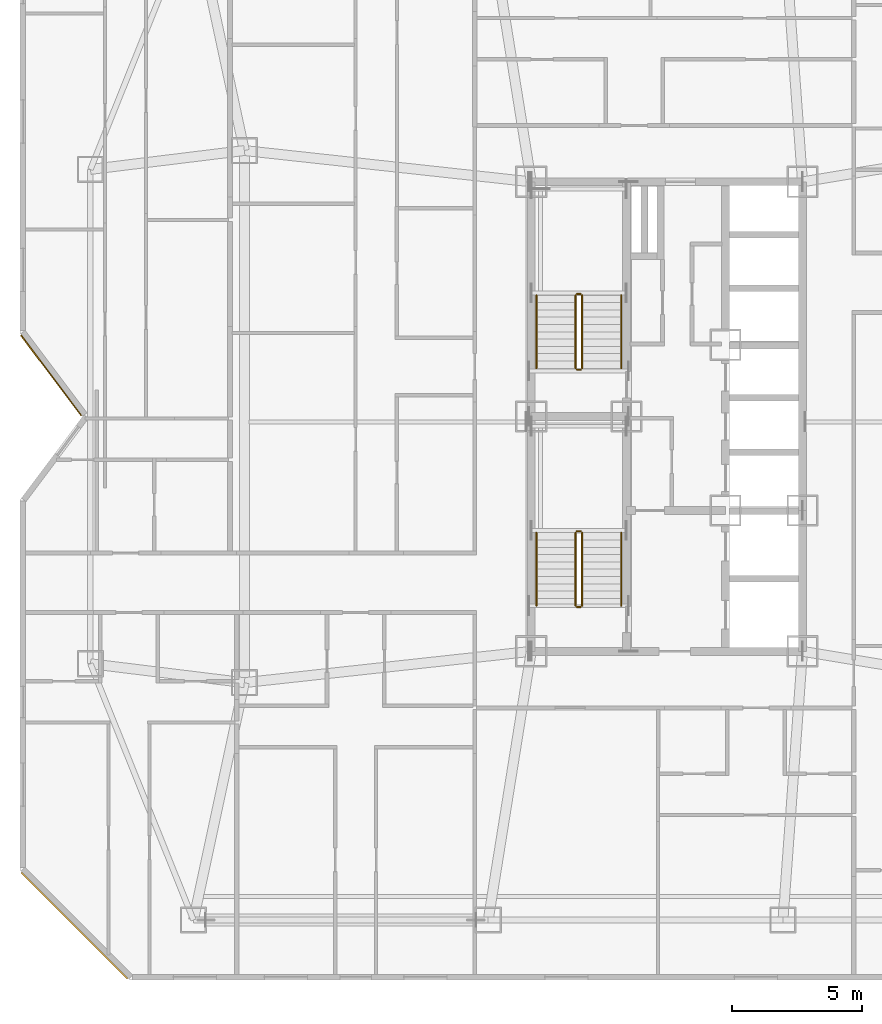
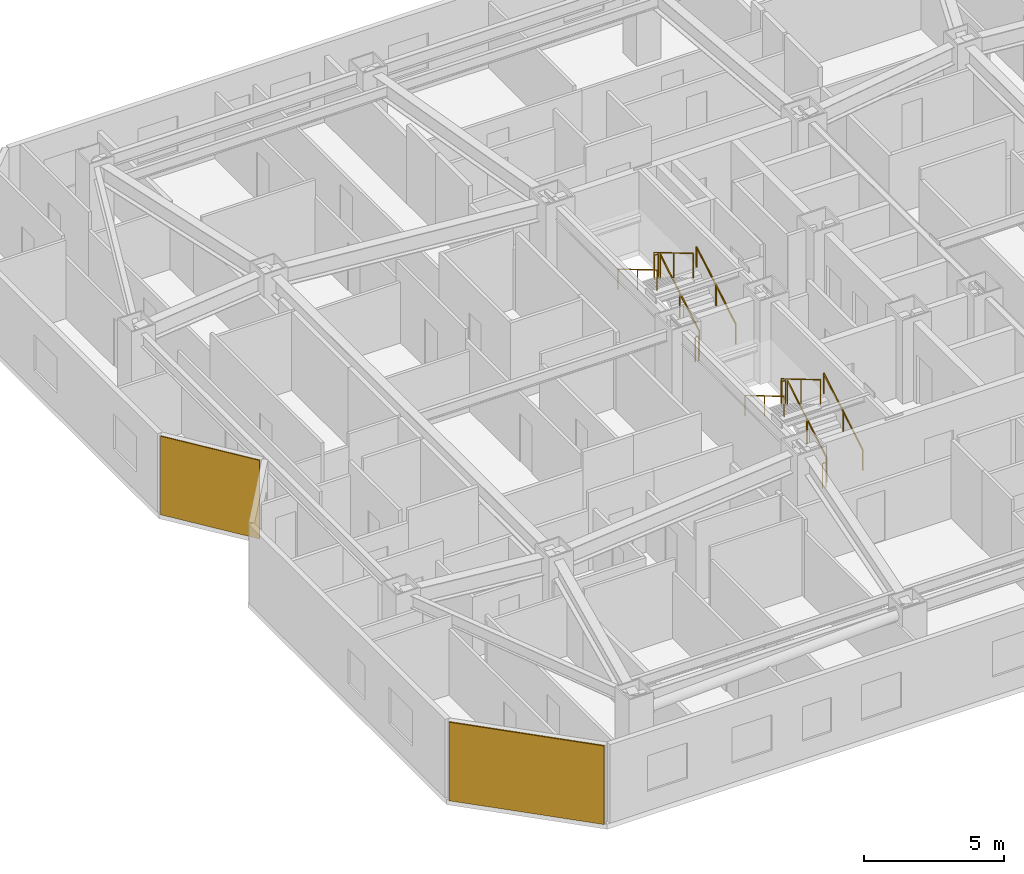
# One storey, part 12 of 13: 12 railings, 2 coverings.
"""IFC4 building model written with IfcOpenShell, lengths in metres."""

from ifc_helpers import new_model, si_unit, direction, frame, origin, origin_2d, place, context, subcontext, project, spatial, rectangle, circle, extrude, material, layer, layer_set, type_object, element, save


model = new_model("IFC4")

# Units and contexts
model_context = context("Model", 3, precision=1e-05, world=origin(), true_north=direction((0.0, 1.0)))
body_context = subcontext(model_context, "Body", "Model", "MODEL_VIEW")
ifc_project = project(units=[si_unit("LENGTHUNIT", "METRE"), si_unit("AREAUNIT", "SQUARE_METRE"), si_unit("VOLUMEUNIT", "CUBIC_METRE"), si_unit("PLANEANGLEUNIT", "RADIAN"), si_unit("MASSUNIT", "GRAM", prefix="KILO")], contexts=[model_context])

# Site, building, storey
site_placement = place(None, origin())
site = spatial("IfcSite", under=ifc_project, at=site_placement, CompositionType="ELEMENT")
building_placement = place(site_placement, origin())
building = spatial("IfcBuilding", under=site, at=building_placement, Name="Khamvora Tower", CompositionType="ELEMENT")
storey_placement = place(building_placement, frame((0.0, 0.0, 105.550048828125)))
storey = spatial("IfcBuildingStorey", under=building, at=storey_placement, Name="L26", CompositionType="ELEMENT", Elevation=105.550048828125)

# Coverings
ifc_material_1 = material(Name="Pale Anodised Aluminium Rainscreen Panel", Category="aluminium")
ifc_layer_1 = layer(ifc_material_1, 0.044921875)
ifc_layer_set_1 = layer_set([ifc_layer_1], Name="Pale Anodised Aluminium Rainscreen Panel")
covering_type_1 = type_object("IfcCoveringType", Name="COV-CLD-ALU", PredefinedType="CLADDING", material=ifc_layer_set_1)
covering_1_placement = place(storey_placement, frame((10.593017578125, 29.580078125, 0.0), z_axis=(0.0, 0.0, 1.0), x_axis=(-0.600161988406, 0.799878483066, 0.0)))
element("IfcCovering", 1, at=covering_1_placement, inside=storey, type_object=covering_type_1, Name="L26 chamfer rainscreen cladding 04.1", PredefinedType="CLADDING", context=body_context, shape_type="SweptSolid", body=[
    extrude(rectangle(XDim=3.85107421875, YDim=0.044921875, at=origin_2d()), origin(), (0.0, 0.0, 1.0), 3.429931640625),
])
ifc_material_2 = material(Name="Anodised Bronze Aluminium Spandrel Panel", Category="aluminium")
ifc_layer_2 = layer(ifc_material_2, 0.054931640625)
ifc_layer_set_2 = layer_set([ifc_layer_2], Name="Anodised Bronze Aluminium Spandrel Panel")
covering_type_2 = type_object("IfcCoveringType", Name="COV-CLD-BRZ", PredefinedType="CLADDING", material=ifc_layer_set_2)
covering_2_placement = place(storey_placement, frame((11.487060546875, 8.487060546875, 0.0), z_axis=(0.0, 0.0, 1.0), x_axis=(-0.707106781187, 0.707106781187, 0.0)))
element("IfcCovering", 2, at=covering_2_placement, inside=storey, type_object=covering_type_2, Name="L26 chamfer rainscreen cladding 01.1", PredefinedType="CLADDING", context=body_context, shape_type="SweptSolid", body=[
    extrude(rectangle(XDim=5.7490234375, YDim=0.054931640625, at=origin_2d()), origin(), (0.0, 0.0, 1.0), 3.429931640625),
])

# Railings
ifc_material_3 = material(Name="Brushed Stainless Steel 316", Category="steel")
railing_type_1 = type_object("IfcRailingType", Name="RAL-HDR-920", PredefinedType="HANDRAIL", material=ifc_material_3)
railing_1_placement = place(storey_placement, frame((32.449951171875, 20.75, 0.165771484375)))
element("IfcRailing", 3, at=railing_1_placement, inside=storey, type_object=railing_type_1, Name="L26 ST-01 stair handrail 1", PredefinedType="HANDRAIL", context=body_context, shape_type="SweptSolid", body=[
    extrude(circle(Radius=0.02392578125, at=origin_2d()), frame((0.0, 0.0, 0.8759765625), z_axis=(0.0, 0.860306154799, 0.50977771628), x_axis=(-1.0, 0.0, 0.0)), (0.0, 0.0, 1.0), 3.254638671875),
    extrude(circle(Radius=0.02099609375, at=origin_2d()), origin(), (0.0, 0.0, 1.0), 0.851806640625),
    extrude(circle(Radius=0.02099609375, at=origin_2d()), frame((0.0, 1.39990234375, 0.82958984375)), (0.0, 0.0, 1.0), 0.851806640625),
    extrude(circle(Radius=0.02099609375, at=origin_2d()), frame((0.0, 2.800048828125, 1.6591796875)), (0.0, 0.0, 1.0), 0.851806640625),
])
railing_2_placement = place(storey_placement, frame((29.199951171875, 23.550048828125, 1.990966796875)))
element("IfcRailing", 4, at=railing_2_placement, inside=storey, type_object=railing_type_1, Name="L26 ST-01 stair handrail 2", PredefinedType="HANDRAIL", context=body_context, shape_type="SweptSolid", body=[
    extrude(circle(Radius=0.02392578125, at=origin_2d()), frame((0.0, 0.0, 0.8759765625), z_axis=(0.0, -0.860339051648, 0.50972219513), x_axis=(1.0, 0.0, 0.0)), (0.0, 0.0, 1.0), 3.254638671875),
    extrude(circle(Radius=0.02099609375, at=origin_2d()), origin(), (0.0, 0.0, 1.0), 0.851806640625),
    extrude(circle(Radius=0.02099609375, at=origin_2d()), frame((0.0, -1.39990234375, 0.82958984375)), (0.0, 0.0, 1.0), 0.851806640625),
    extrude(circle(Radius=0.02099609375, at=origin_2d()), frame((0.0, -2.800048828125, 1.658935546875)), (0.0, 0.0, 1.0), 0.851806640625),
])
railing_3_placement = place(storey_placement, frame((32.449951171875, 29.85009765625, 0.165771484375)))
element("IfcRailing", 5, at=railing_3_placement, inside=storey, type_object=railing_type_1, Name="L26 ST-02 stair handrail 1", PredefinedType="HANDRAIL", context=body_context, shape_type="SweptSolid", body=[
    extrude(circle(Radius=0.02392578125, at=origin_2d()), frame((0.0, 0.0, 0.8759765625), z_axis=(0.0, 0.860286659441, 0.509810615413), x_axis=(-1.0, 0.0, 0.0)), (0.0, 0.0, 1.0), 3.25439453125),
    extrude(circle(Radius=0.02099609375, at=origin_2d()), origin(), (0.0, 0.0, 1.0), 0.851806640625),
    extrude(circle(Radius=0.02099609375, at=origin_2d()), frame((0.0, 1.39990234375, 0.82958984375)), (0.0, 0.0, 1.0), 0.851806640625),
    extrude(circle(Radius=0.02099609375, at=origin_2d()), frame((0.0, 2.7998046875, 1.6591796875)), (0.0, 0.0, 1.0), 0.851806640625),
])
railing_4_placement = place(storey_placement, frame((29.199951171875, 32.64990234375, 1.990966796875)))
element("IfcRailing", 6, at=railing_4_placement, inside=storey, type_object=railing_type_1, Name="L26 ST-02 stair handrail 2", PredefinedType="HANDRAIL", context=body_context, shape_type="SweptSolid", body=[
    extrude(circle(Radius=0.02392578125, at=origin_2d()), frame((0.0, 0.0, 0.8759765625), z_axis=(0.0, -0.860319559791, 0.509755093197), x_axis=(1.0, 0.0, 0.0)), (0.0, 0.0, 1.0), 3.25439453125),
    extrude(circle(Radius=0.02099609375, at=origin_2d()), origin(), (0.0, 0.0, 1.0), 0.851806640625),
    extrude(circle(Radius=0.02099609375, at=origin_2d()), frame((0.0, -1.39990234375, 0.82958984375)), (0.0, 0.0, 1.0), 0.851806640625),
    extrude(circle(Radius=0.02099609375, at=origin_2d()), frame((0.0, -2.7998046875, 1.658935546875)), (0.0, 0.0, 1.0), 0.851806640625),
])
ifc_material_4 = material(Name="Stainless Steel 316", Category="steel")
railing_type_2 = type_object("IfcRailingType", Name="RAL-STG-1100", PredefinedType="GUARDRAIL", material=ifc_material_4)
railing_5_placement = place(storey_placement, frame((30.949951171875, 20.75, 0.165771484375)))
element("IfcRailing", 7, at=railing_5_placement, inside=storey, type_object=railing_type_2, Name="L26 ST-01 stair guard 1", PredefinedType="GUARDRAIL", context=body_context, shape_type="SweptSolid", body=[
    extrude(circle(Radius=0.02392578125, at=origin_2d()), frame((0.0, 0.0, 1.076171875), z_axis=(0.0, 0.860306154799, 0.50977771628), x_axis=(-1.0, 0.0, 0.0)), (0.0, 0.0, 1.0), 3.254638671875),
    extrude(circle(Radius=0.02099609375, at=origin_2d()), origin(), (0.0, 0.0, 1.0), 1.052001953125),
    extrude(circle(Radius=0.02099609375, at=origin_2d()), frame((0.0, 1.39990234375, 0.82958984375)), (0.0, 0.0, 1.0), 1.052001953125),
    extrude(circle(Radius=0.02099609375, at=origin_2d()), frame((0.0, 2.800048828125, 1.6591796875)), (0.0, 0.0, 1.0), 1.052001953125),
])
railing_6_placement = place(storey_placement, frame((30.89990234375, 23.60009765625, 1.824951171875)))
element("IfcRailing", 8, at=railing_6_placement, inside=storey, type_object=railing_type_2, Name="L26 ST-01 stair guard 2", PredefinedType="GUARDRAIL", context=body_context, shape_type="SweptSolid", body=[
    extrude(circle(Radius=0.02392578125, at=origin_2d()), frame((0.0, 0.0, 1.076171875), z_axis=(-1.0, 0.0, 0.0), x_axis=(0.0, -1.0, 0.0)), (0.0, 0.0, 1.0), 0.14990234375),
    extrude(circle(Radius=0.02099609375, at=origin_2d()), origin(), (0.0, 0.0, 1.0), 1.052001953125),
    extrude(circle(Radius=0.02099609375, at=origin_2d()), frame((-0.14990234375, 0.0, 0.0)), (0.0, 0.0, 1.0), 1.052001953125),
])
railing_7_placement = place(storey_placement, frame((30.699951171875, 23.550048828125, 1.990966796875)))
element("IfcRailing", 9, at=railing_7_placement, inside=storey, type_object=railing_type_2, Name="L26 ST-01 stair guard 3", PredefinedType="GUARDRAIL", context=body_context, shape_type="SweptSolid", body=[
    extrude(circle(Radius=0.02392578125, at=origin_2d()), frame((0.0, 0.0, 1.076171875), z_axis=(0.0, -0.860339051648, 0.50972219513), x_axis=(1.0, 0.0, 0.0)), (0.0, 0.0, 1.0), 3.254638671875),
    extrude(circle(Radius=0.02099609375, at=origin_2d()), origin(), (0.0, 0.0, 1.0), 1.052001953125),
    extrude(circle(Radius=0.02099609375, at=origin_2d()), frame((0.0, -1.39990234375, 0.82958984375)), (0.0, 0.0, 1.0), 1.052001953125),
    extrude(circle(Radius=0.02099609375, at=origin_2d()), frame((0.0, -2.800048828125, 1.658935546875)), (0.0, 0.0, 1.0), 1.052001953125),
])
railing_8_placement = place(storey_placement, frame((30.89990234375, 20.699951171875, 0.0)))
element("IfcRailing", 10, at=railing_8_placement, inside=storey, type_object=railing_type_2, Name="L26 ST-01 stair guard 4", PredefinedType="GUARDRAIL", context=body_context, shape_type="SweptSolid", body=[
    extrude(circle(Radius=0.02392578125, at=origin_2d()), frame((0.0, 0.0, 1.076171875), z_axis=(-1.0, 0.0, 0.0), x_axis=(0.0, -1.0, 0.0)), (0.0, 0.0, 1.0), 0.14990234375),
    extrude(circle(Radius=0.02099609375, at=origin_2d()), origin(), (0.0, 0.0, 1.0), 1.052001953125),
    extrude(circle(Radius=0.02099609375, at=origin_2d()), frame((-0.14990234375, 0.0, 0.0)), (0.0, 0.0, 1.0), 1.052001953125),
])
railing_9_placement = place(storey_placement, frame((30.949951171875, 29.85009765625, 0.165771484375)))
element("IfcRailing", 11, at=railing_9_placement, inside=storey, type_object=railing_type_2, Name="L26 ST-02 stair guard 1", PredefinedType="GUARDRAIL", context=body_context, shape_type="SweptSolid", body=[
    extrude(circle(Radius=0.02392578125, at=origin_2d()), frame((0.0, 0.0, 1.076171875), z_axis=(0.0, 0.860286659441, 0.509810615413), x_axis=(-1.0, 0.0, 0.0)), (0.0, 0.0, 1.0), 3.25439453125),
    extrude(circle(Radius=0.02099609375, at=origin_2d()), origin(), (0.0, 0.0, 1.0), 1.052001953125),
    extrude(circle(Radius=0.02099609375, at=origin_2d()), frame((0.0, 1.39990234375, 0.82958984375)), (0.0, 0.0, 1.0), 1.052001953125),
    extrude(circle(Radius=0.02099609375, at=origin_2d()), frame((0.0, 2.7998046875, 1.6591796875)), (0.0, 0.0, 1.0), 1.052001953125),
])
railing_10_placement = place(storey_placement, frame((30.89990234375, 32.699951171875, 1.824951171875)))
element("IfcRailing", 12, at=railing_10_placement, inside=storey, type_object=railing_type_2, Name="L26 ST-02 stair guard 2", PredefinedType="GUARDRAIL", context=body_context, shape_type="SweptSolid", body=[
    extrude(circle(Radius=0.02392578125, at=origin_2d()), frame((0.0, 0.0, 1.076171875), z_axis=(-1.0, 0.0, 0.0), x_axis=(0.0, -1.0, 0.0)), (0.0, 0.0, 1.0), 0.14990234375),
    extrude(circle(Radius=0.02099609375, at=origin_2d()), origin(), (0.0, 0.0, 1.0), 1.052001953125),
    extrude(circle(Radius=0.02099609375, at=origin_2d()), frame((-0.14990234375, 0.0, 0.0)), (0.0, 0.0, 1.0), 1.052001953125),
])
railing_11_placement = place(storey_placement, frame((30.699951171875, 32.64990234375, 1.990966796875)))
element("IfcRailing", 13, at=railing_11_placement, inside=storey, type_object=railing_type_2, Name="L26 ST-02 stair guard 3", PredefinedType="GUARDRAIL", context=body_context, shape_type="SweptSolid", body=[
    extrude(circle(Radius=0.02392578125, at=origin_2d()), frame((0.0, 0.0, 1.076171875), z_axis=(0.0, -0.860319559791, 0.509755093197), x_axis=(1.0, 0.0, 0.0)), (0.0, 0.0, 1.0), 3.25439453125),
    extrude(circle(Radius=0.02099609375, at=origin_2d()), origin(), (0.0, 0.0, 1.0), 1.052001953125),
    extrude(circle(Radius=0.02099609375, at=origin_2d()), frame((0.0, -1.39990234375, 0.82958984375)), (0.0, 0.0, 1.0), 1.052001953125),
    extrude(circle(Radius=0.02099609375, at=origin_2d()), frame((0.0, -2.7998046875, 1.658935546875)), (0.0, 0.0, 1.0), 1.052001953125),
])
railing_12_placement = place(storey_placement, frame((30.89990234375, 29.800048828125, 0.0)))
element("IfcRailing", 14, at=railing_12_placement, inside=storey, type_object=railing_type_2, Name="L26 ST-02 stair guard 4", PredefinedType="GUARDRAIL", context=body_context, shape_type="SweptSolid", body=[
    extrude(circle(Radius=0.02392578125, at=origin_2d()), frame((0.0, 0.0, 1.076171875), z_axis=(-1.0, 0.0, 0.0), x_axis=(0.0, -1.0, 0.0)), (0.0, 0.0, 1.0), 0.14990234375),
    extrude(circle(Radius=0.02099609375, at=origin_2d()), origin(), (0.0, 0.0, 1.0), 1.052001953125),
    extrude(circle(Radius=0.02099609375, at=origin_2d()), frame((-0.14990234375, 0.0, 0.0)), (0.0, 0.0, 1.0), 1.052001953125),
])

save(model, "model.ifc")
